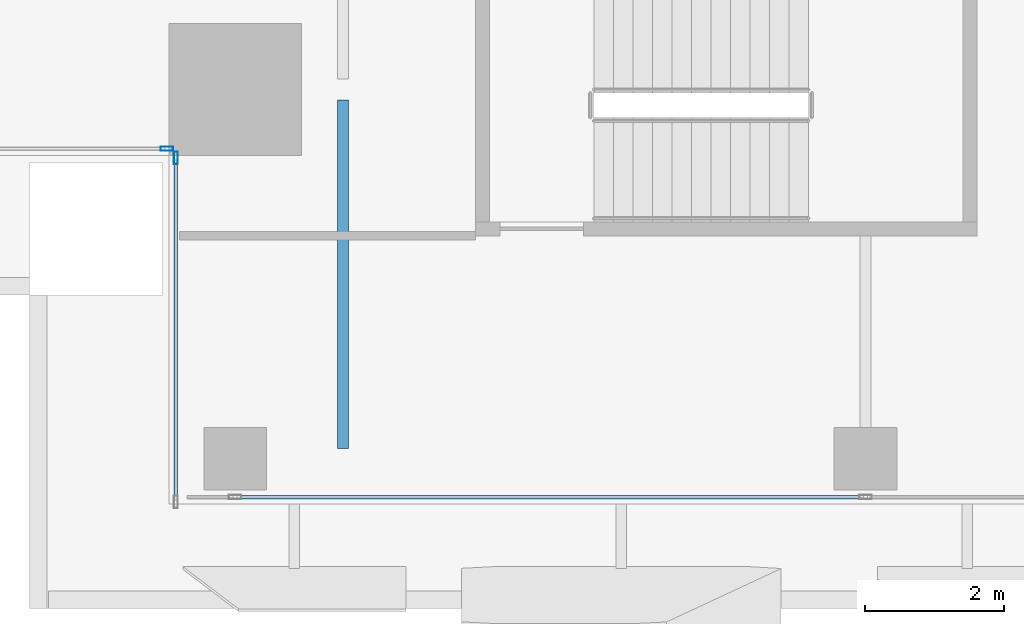
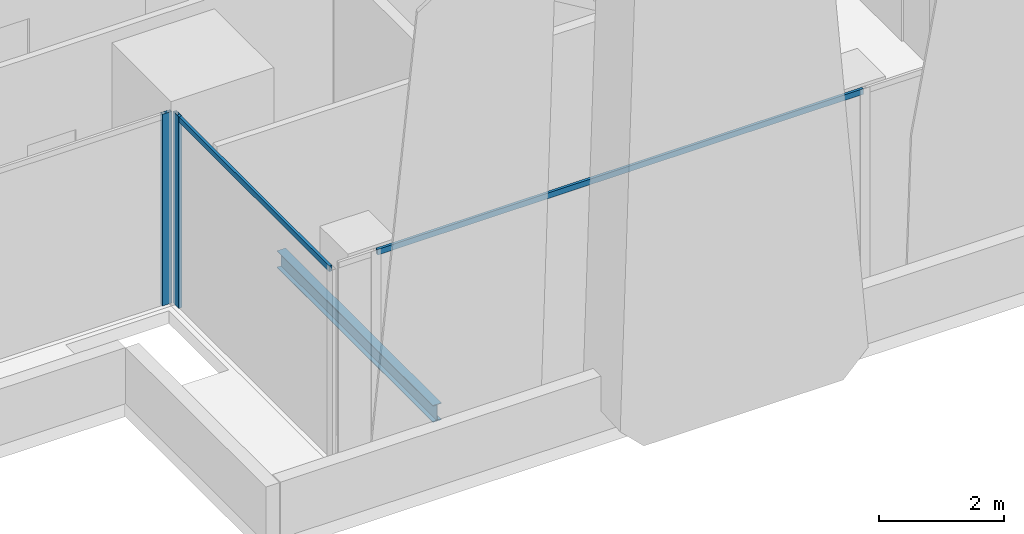
# One storey, part 3 of 33: 4 members, 1 beam, 3 elements without a shape of their own.
"""IFC4 building model written with IfcOpenShell, lengths in metres."""

from ifc_helpers import new_model, si_unit, direction, frame, origin, origin_2d, place, context, subcontext, project, spatial, hollow_rectangle, i_section, extrude, source, transform, mapped, material, material_profile, profile_set, type_object, element, aggregate, save


model = new_model("IFC4")

# Units and contexts
model_context = context("Model", 3, precision=1e-05, world=origin(), true_north=direction((0.0, 1.0)))
body_context = subcontext(model_context, "Body", "Model", "MODEL_VIEW")
ifc_project = project(units=[si_unit("LENGTHUNIT", "METRE"), si_unit("AREAUNIT", "SQUARE_METRE"), si_unit("VOLUMEUNIT", "CUBIC_METRE"), si_unit("PLANEANGLEUNIT", "RADIAN"), si_unit("MASSUNIT", "GRAM", prefix="KILO")], contexts=[model_context])

# Site, building, storey
site_placement = place(None, origin())
site = spatial("IfcSite", under=ifc_project, at=site_placement, CompositionType="ELEMENT")
building_placement = place(site_placement, origin())
building = spatial("IfcBuilding", under=site, at=building_placement, Name="Khomas Fold Tower", CompositionType="ELEMENT")
storey_placement = place(building_placement, frame((0.0, 0.0, 222.199951171875)))
storey = spatial("IfcBuildingStorey", under=building, at=storey_placement, Name="L49", CompositionType="ELEMENT", Elevation=222.199951171875)

# Beam
ifc_material_1 = material(Name="Steel S355", Category="steel")
ifc_material_profile_1 = material_profile(ifc_material_1, i_section(OverallWidth=0.159912109375, OverallDepth=0.330078125, WebThickness=0.007568359375, FlangeThickness=0.011474609375, at=origin_2d()), Name="IPE 330")
ifc_profile_set_1 = profile_set([ifc_material_profile_1], Name="Steel S355")
beam_type = type_object("IfcBeamType", Name="IPE 330 beam JB1", PredefinedType="BEAM", material=ifc_profile_set_1)
shared_shape_1 = source(origin(), body_context, "Body", "SweptSolid", [
    extrude(i_section(OverallWidth=0.159912109375, OverallDepth=0.330078125, WebThickness=0.007568359375, FlangeThickness=0.011474609375, at=origin_2d()), origin(), (0.0, 0.0, 1.0), 5.0),
])
beam_placement = place(storey_placement, frame((12.0, 5.300048828125, -0.4150390625), z_axis=(0.0, 1.0, 0.0), x_axis=(-1.0, 0.0, 0.0)))
element("IfcBeam", 1, at=beam_placement, inside=storey, type_object=beam_type, Name="JB1", PredefinedType="BEAM", context=body_context, shape_type="MappedRepresentation", body=[
    mapped(shared_shape_1, transform((0.0, 0.0, 0.0))),
])

# Curtain wall, member
ifc_material_2 = material(Name="Aluminium framed double glazing", Category="aluminium")
curtain_wall_type = type_object("IfcCurtainWallType", Name="SK-Unitised clear-glass wall, office floors CW2", PredefinedType="NOTDEFINED", material=ifc_material_2)
curtain_wall_1_placement = place(storey_placement, origin())
curtain_wall_1 = element("IfcCurtainWall", 2, at=curtain_wall_1_placement, inside=storey, type_object=curtain_wall_type, Name="CW2 corner return L49 10", PredefinedType="NOTDEFINED")
ifc_material_3 = material(Name="Aluminium", Category="aluminium")
ifc_material_profile_2 = material_profile(ifc_material_3, hollow_rectangle(XDim=0.06005859375, YDim=0.179931640625, WallThickness=0.00390625, at=origin_2d()), Name="SK-Unitised clear-glass wall, office floors mullion CW2-M")
ifc_profile_set_2 = profile_set([ifc_material_profile_2], Name="Aluminium")
member_type_1 = type_object("IfcMemberType", Name="SK-Unitised clear-glass wall, office floors mullion CW2-M", PredefinedType="MULLION", material=ifc_profile_set_2)
shared_shape_2 = source(origin(), body_context, "Body", "SweptSolid", [
    extrude(hollow_rectangle(XDim=0.06005859375, YDim=0.179931640625, WallThickness=0.00390625, at=origin_2d()), origin(), (0.0, 0.0, 1.0), 3.75),
])
member_1_placement = place(storey_placement, frame((9.469970703125, 9.60009765625, 0.0), z_axis=(0.0, 0.0, 1.0), x_axis=(0.0, 1.0, 0.0)))
member_1 = element("IfcMember", 3, at=member_1_placement, type_object=member_type_1, Name="CW2 mullion 2", PredefinedType="MULLION", context=body_context, shape_type="MappedRepresentation", body=[
    mapped(shared_shape_2, transform((0.0, 0.0, 0.0))),
])
aggregate(curtain_wall_1, [member_1])

curtain_wall_2_placement = place(storey_placement, origin())
curtain_wall_2 = element("IfcCurtainWall", 4, at=curtain_wall_2_placement, inside=storey, type_object=curtain_wall_type, Name="CW2 corner return L49 11", PredefinedType="NOTDEFINED")
member_2_placement = place(storey_placement, frame((9.60009765625, 9.469970703125, 0.0), z_axis=(0.0, 0.0, 1.0), x_axis=(1.0, 0.0, 0.0)))
member_2 = element("IfcMember", 5, at=member_2_placement, type_object=member_type_1, Name="CW2 mullion 1", PredefinedType="MULLION", context=body_context, shape_type="MappedRepresentation", body=[
    mapped(shared_shape_2, transform((0.0, 0.0, 0.0))),
])

curtain_wall_3_placement = place(storey_placement, origin())
curtain_wall_3 = element("IfcCurtainWall", 6, at=curtain_wall_3_placement, inside=storey, type_object=curtain_wall_type, Name="CW2 run L49 00-0", PredefinedType="NOTDEFINED")
ifc_material_4 = material(Name="Aluminium", Category="aluminium")
ifc_material_profile_3 = material_profile(ifc_material_4, hollow_rectangle(XDim=0.050048828125, YDim=0.110107421875, WallThickness=0.00390625, at=origin_2d()), Name="SK-Unitised clear-glass wall, office floors transom CW2-T")
ifc_profile_set_3 = profile_set([ifc_material_profile_3], Name="Aluminium")
member_type_2 = type_object("IfcMemberType", Name="SK-Unitised clear-glass wall, office floors transom CW2-T", PredefinedType="USERDEFINED", material=ifc_profile_set_3)
shared_shape_3 = source(origin(), body_context, "Body", "SweptSolid", [
    extrude(hollow_rectangle(XDim=0.050048828125, YDim=0.110107421875, WallThickness=0.00390625, at=origin_2d()), origin(), (0.0, 0.0, 1.0), 8.989990234375),
])
member_3_placement = place(storey_placement, frame((10.47998046875, 4.60009765625, 3.695068359375), z_axis=(1.0, 0.0, 0.0), x_axis=(0.0, 1.0, 0.0)))
member_3 = element("IfcMember", 7, at=member_3_placement, type_object=member_type_2, Name="CW2 transom 2", ObjectType="TRANSOM", PredefinedType="USERDEFINED", context=body_context, shape_type="MappedRepresentation", body=[
    mapped(shared_shape_3, transform((0.0, 0.0, 0.0))),
])
aggregate(curtain_wall_3, [member_3])

# Member
shared_shape_4 = source(origin(), body_context, "Body", "SweptSolid", [
    extrude(hollow_rectangle(XDim=0.050048828125, YDim=0.110107421875, WallThickness=0.00390625, at=origin_2d()), origin(), (0.0, 0.0, 1.0), 4.8798828125),
])
member_4_placement = place(storey_placement, frame((9.60009765625, 9.43994140625, 3.695068359375), z_axis=(0.0, -1.0, 0.0), x_axis=(1.0, 0.0, 0.0)))
member_4 = element("IfcMember", 8, at=member_4_placement, type_object=member_type_2, Name="CW2 transom 1", ObjectType="TRANSOM", PredefinedType="USERDEFINED", context=body_context, shape_type="MappedRepresentation", body=[
    mapped(shared_shape_4, transform((0.0, 0.0, 0.0))),
])

aggregate(curtain_wall_2, [member_2, member_4])

save(model, "model.ifc")
